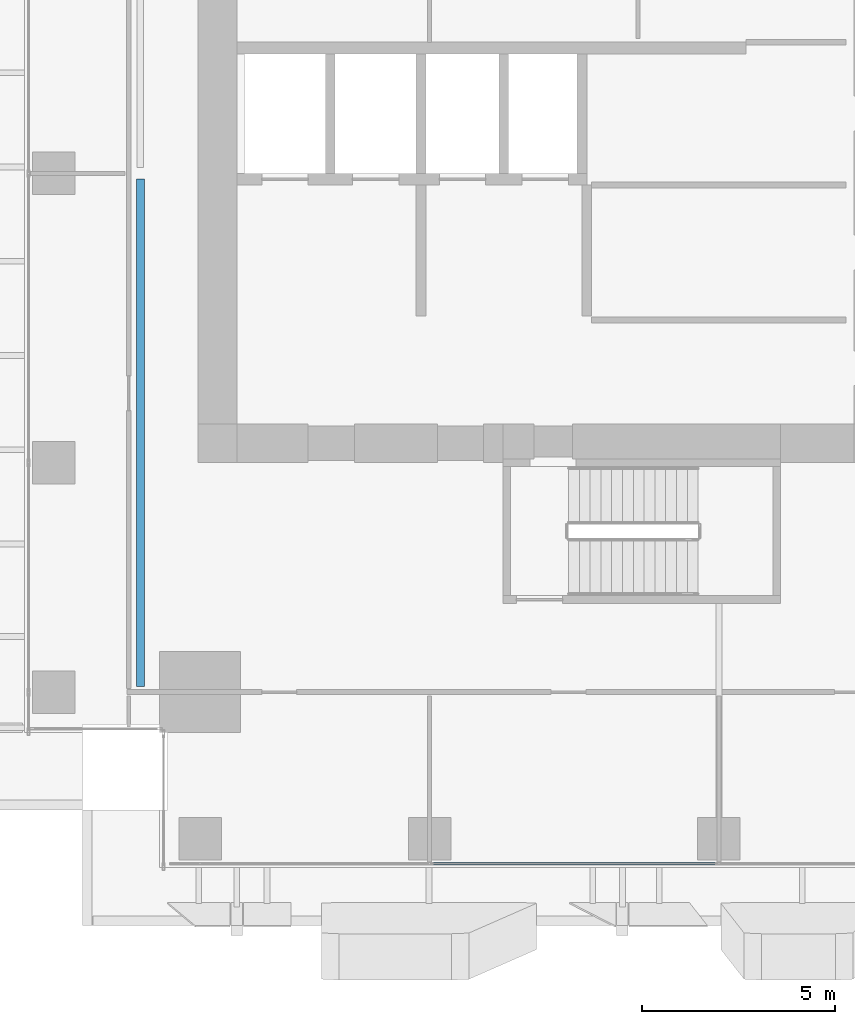
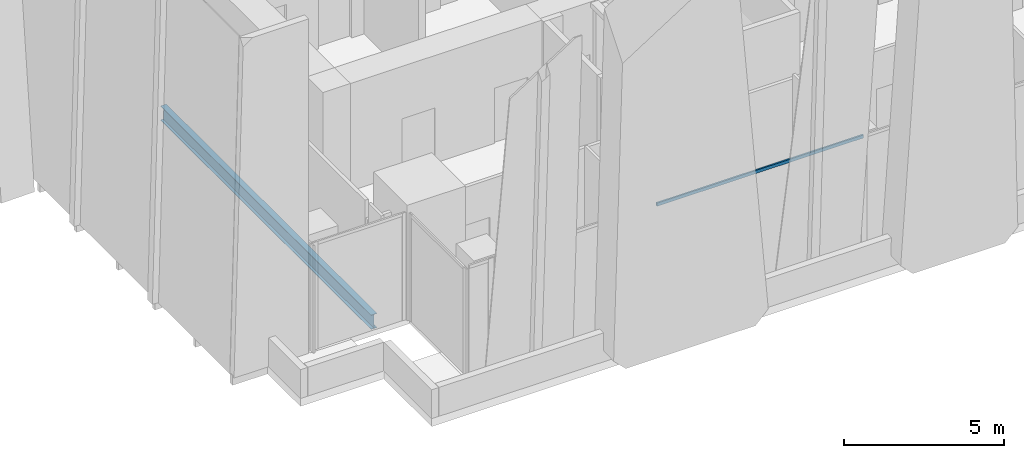
# One storey, part 3 of 37: 1 beam, 1 member, 1 element without a shape of its own.
"""IFC4 building model written with IfcOpenShell, lengths in metres."""

from ifc_helpers import new_model, si_unit, direction, frame, origin, origin_2d, place, context, subcontext, project, spatial, hollow_rectangle, i_section, extrude, source, transform, mapped, material, material_profile, profile_set, type_object, element, aggregate, save


model = new_model("IFC4")

# Units and contexts
model_context = context("Model", 3, precision=1e-05, world=origin(), true_north=direction((0.0, 1.0)))
body_context = subcontext(model_context, "Body", "Model", "MODEL_VIEW")
ifc_project = project(units=[si_unit("LENGTHUNIT", "METRE"), si_unit("AREAUNIT", "SQUARE_METRE"), si_unit("VOLUMEUNIT", "CUBIC_METRE"), si_unit("PLANEANGLEUNIT", "RADIAN"), si_unit("MASSUNIT", "GRAM", prefix="KILO")], contexts=[model_context])

# Site, building, storey
site_placement = place(None, origin())
site = spatial("IfcSite", under=ifc_project, at=site_placement, CompositionType="ELEMENT")
building_placement = place(site_placement, origin())
building = spatial("IfcBuilding", under=site, at=building_placement, Name="Khomas Fold Tower", CompositionType="ELEMENT")
storey_placement = place(building_placement, frame((0.0, 0.0, 101.5)))
storey = spatial("IfcBuildingStorey", under=building, at=storey_placement, Name="L21", CompositionType="ELEMENT", Elevation=101.5)

# Beam
ifc_material_1 = material(Name="Steel S355", Category="steel")
ifc_material_profile_1 = material_profile(ifc_material_1, i_section(OverallWidth=0.2099609375, OverallDepth=0.550048828125, WebThickness=0.010986328125, FlangeThickness=0.01708984375, at=origin_2d()), Name="IPE 550")
ifc_profile_set_1 = profile_set([ifc_material_profile_1], Name="Steel S355")
beam_type = type_object("IfcBeamType", Name="IPE 550 beam JB6", PredefinedType="BEAM", material=ifc_profile_set_1)
shared_shape_1 = source(origin(), body_context, "Body", "SweptSolid", [
    extrude(i_section(OverallWidth=0.2099609375, OverallDepth=0.550048828125, WebThickness=0.010986328125, FlangeThickness=0.01708984375, at=origin_2d()), origin(), (0.0, 0.0, 1.0), 13.1484375),
])
beam_placement = place(storey_placement, frame((4.5, 6.199951171875, -0.574951171875), z_axis=(0.0, 1.0, 0.0), x_axis=(-1.0, 0.0, 0.0)))
element("IfcBeam", 1, at=beam_placement, inside=storey, type_object=beam_type, Name="JB6", PredefinedType="BEAM", context=body_context, shape_type="MappedRepresentation", body=[
    mapped(shared_shape_1, transform((0.0, 0.0, 0.0))),
])

# Curtain wall, member
ifc_material_2 = material(Name="Aluminium framed double glazing", Category="aluminium")
curtain_wall_type = type_object("IfcCurtainWallType", Name="SK-Unitised clear-glass wall, growing floors CW1", PredefinedType="NOTDEFINED", material=ifc_material_2)
curtain_wall_placement = place(storey_placement, origin())
curtain_wall = element("IfcCurtainWall", 2, at=curtain_wall_placement, inside=storey, type_object=curtain_wall_type, Name="CW1 run L21 00-0", PredefinedType="NOTDEFINED")
ifc_material_3 = material(Name="Aluminium", Category="aluminium")
ifc_material_profile_2 = material_profile(ifc_material_3, hollow_rectangle(XDim=0.06005859375, YDim=0.1201171875, WallThickness=0.00390625, at=origin_2d()), Name="SK-Unitised clear-glass wall, growing floors transom CW1-T")
ifc_profile_set_2 = profile_set([ifc_material_profile_2], Name="Aluminium")
member_type = type_object("IfcMemberType", Name="SK-Unitised clear-glass wall, growing floors transom CW1-T", PredefinedType="USERDEFINED", material=ifc_profile_set_2)
shared_shape_2 = source(origin(), body_context, "Body", "SweptSolid", [
    extrude(hollow_rectangle(XDim=0.06005859375, YDim=0.1201171875, WallThickness=0.00390625, at=origin_2d()), origin(), (0.0, 0.0, 1.0), 7.43994140625),
])
member_placement = place(storey_placement, frame((12.030029296875, 1.60009765625, 4.0400390625), z_axis=(1.0, 0.0, 0.0), x_axis=(0.0, 1.0, 0.0)))
member = element("IfcMember", 3, at=member_placement, type_object=member_type, Name="CW1 transom 3", ObjectType="TRANSOM", PredefinedType="USERDEFINED", context=body_context, shape_type="MappedRepresentation", body=[
    mapped(shared_shape_2, transform((0.0, 0.0, 0.0))),
])
aggregate(curtain_wall, [member])

save(model, "model.ifc")
